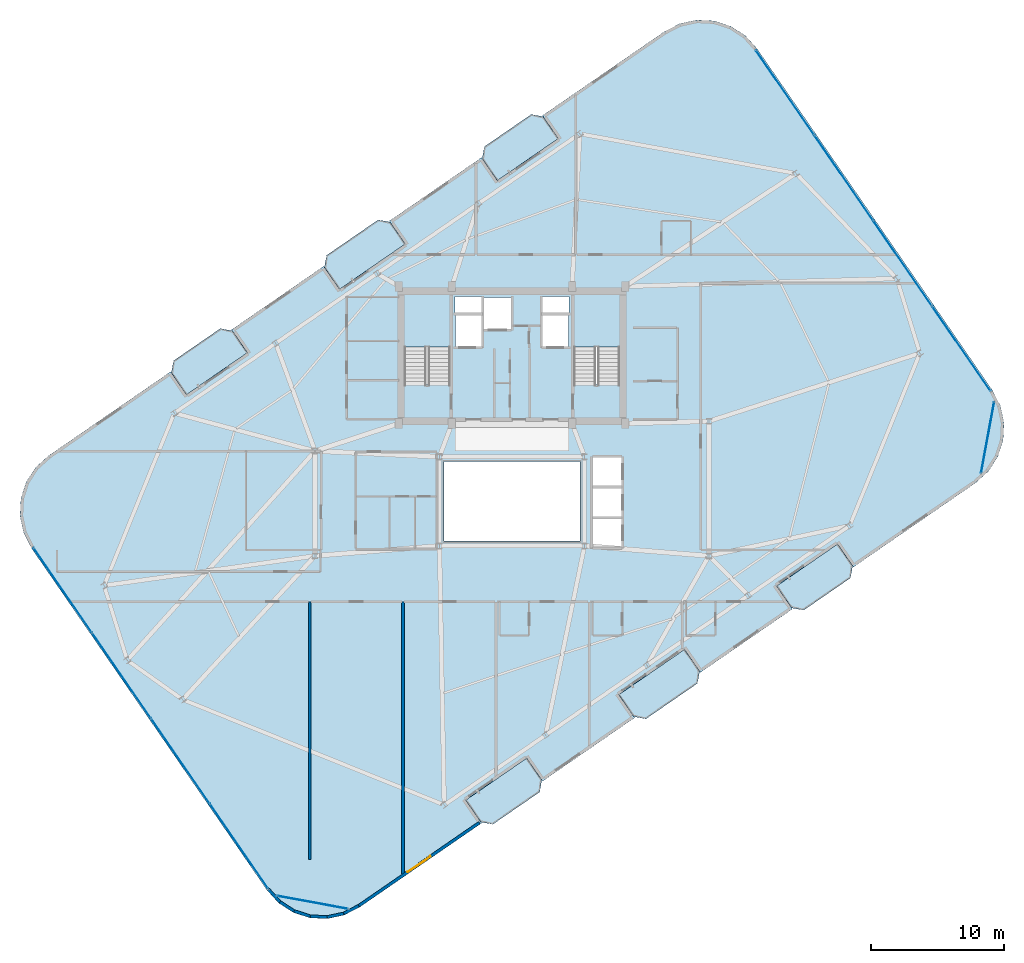
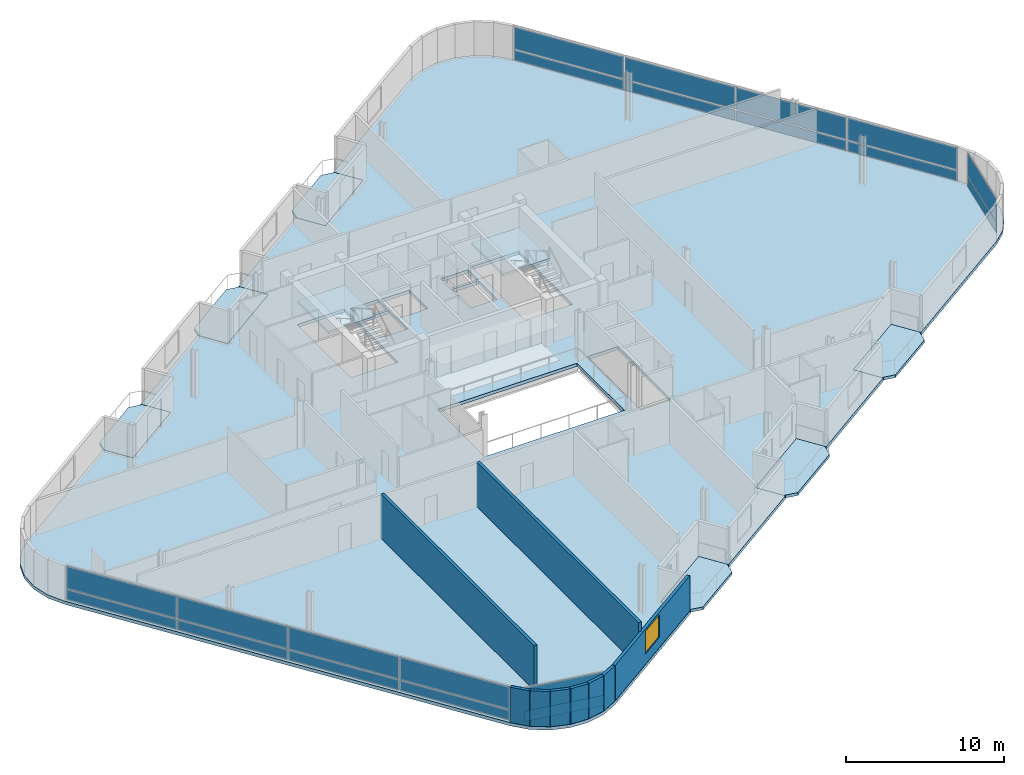
# One storey, part 15 of 23: 20 plates, 9 slabs, 9 walls, 1 window, 1 opening, 6 elements without a shape of their own.
"""IFC4 building model written with IfcOpenShell, lengths in metres."""

from ifc_helpers import new_model, si_unit, direction, frame, frame_2d, origin, origin_2d, place, context, subcontext, project, spatial, polyline, rectangle, outline, extrude, source, transform, mapped, material, layer, layer_set, type_object, element, fill, aggregate, save


model = new_model("IFC4")

# Units and contexts
model_context = context("Model", 3, precision=1e-05, world=origin(), true_north=direction((0.0, 1.0)))
body_context = subcontext(model_context, "Body", "Model", "MODEL_VIEW")
ifc_project = project(units=[si_unit("LENGTHUNIT", "METRE"), si_unit("AREAUNIT", "SQUARE_METRE"), si_unit("VOLUMEUNIT", "CUBIC_METRE"), si_unit("PLANEANGLEUNIT", "RADIAN"), si_unit("MASSUNIT", "GRAM", prefix="KILO")], contexts=[model_context])

# Site, building, storey
site_placement = place(None, origin())
site = spatial("IfcSite", under=ifc_project, at=site_placement, CompositionType="ELEMENT")
building_placement = place(site_placement, origin())
building = spatial("IfcBuilding", under=site, at=building_placement, Name="Varnelok Gate Tower", CompositionType="ELEMENT")
storey_placement = place(building_placement, frame((0.0, 0.0, 258.199951171875)))
storey = spatial("IfcBuildingStorey", under=building, at=storey_placement, Name="L66", CompositionType="ELEMENT", Elevation=258.199951171875)

# Slabs
ifc_material_1 = material(Name="Concrete C45/55", Category="concrete")
ifc_layer_1 = layer(ifc_material_1, 0.219970703125)
ifc_layer_set_1 = layer_set([ifc_layer_1], Name="Concrete C45/55")
slab_type_1 = type_object("IfcSlabType", Name="SLB-BALC-220", PredefinedType="FLOOR", material=ifc_layer_set_1)
slab_1_placement = place(storey_placement, frame((0.0, 0.0, -0.219970703125)))
element("IfcSlab", 1, at=slab_1_placement, inside=storey, type_object=slab_type_1, Name="L66 South Hollow Balcony 1", PredefinedType="FLOOR", context=body_context, shape_type="SweptSolid", body=[
    extrude(outline(polyline([(36.856201171875, -1.207275390625), (37.76025390625, -1.373779296875), (41.274169921875, 1.046630859375), (41.440673828125, 1.95068359375), (40.30615234375, 3.597900390625), (35.7216796875, 0.439697265625), (36.856201171875, -1.207275390625)])), origin(), (0.0, 0.0, 1.0), 0.219970703125),
])
slab_2_placement = place(storey_placement, frame((0.0, 0.0, -0.219970703125)))
element("IfcSlab", 2, at=slab_2_placement, inside=storey, type_object=slab_type_1, Name="L66 South Hollow Balcony 2", PredefinedType="FLOOR", context=body_context, shape_type="SweptSolid", body=[
    extrude(outline(polyline([(48.3583984375, 6.7158203125), (49.262451171875, 6.54931640625), (53.133056640625, 9.21533203125), (53.299560546875, 10.119384765625), (52.1650390625, 11.7666015625), (47.223876953125, 8.36279296875), (48.3583984375, 6.7158203125)])), origin(), (0.0, 0.0, 1.0), 0.219970703125),
])
slab_3_placement = place(storey_placement, frame((0.0, 0.0, -0.219970703125)))
element("IfcSlab", 3, at=slab_3_placement, inside=storey, type_object=slab_type_1, Name="L66 South Hollow Balcony 3", PredefinedType="FLOOR", context=body_context, shape_type="SweptSolid", body=[
    extrude(outline(polyline([(60.21728515625, 14.884521484375), (61.121337890625, 14.718017578125), (64.63525390625, 17.138427734375), (64.802001953125, 18.04248046875), (63.66748046875, 19.689453125), (59.082763671875, 16.531494140625), (60.21728515625, 14.884521484375)])), origin(), (0.0, 0.0, 1.0), 0.219970703125),
])
slab_4_placement = place(storey_placement, frame((0.0, 0.0, -0.219970703125)))
element("IfcSlab", 4, at=slab_4_placement, inside=storey, type_object=slab_type_1, Name="L66 North Hollow Balcony 1", PredefinedType="FLOOR", context=body_context, shape_type="SweptSolid", body=[
    extrude(outline(polyline([(14.732666015625, 30.910400390625), (19.3173828125, 34.068603515625), (18.1826171875, 35.715576171875), (17.27880859375, 35.882080078125), (13.7646484375, 33.461669921875), (13.59814453125, 32.5576171875), (14.732666015625, 30.910400390625)])), origin(), (0.0, 0.0, 1.0), 0.219970703125),
])
slab_5_placement = place(storey_placement, frame((0.0, 0.0, -0.219970703125)))
element("IfcSlab", 5, at=slab_5_placement, inside=storey, type_object=slab_type_1, Name="L66 North Hollow Balcony 2", PredefinedType="FLOOR", context=body_context, shape_type="SweptSolid", body=[
    extrude(outline(polyline([(26.23486328125, 38.83349609375), (31.176025390625, 42.2373046875), (30.04150390625, 43.88427734375), (29.1376953125, 44.05078125), (25.26708984375, 41.384521484375), (25.100341796875, 40.480712890625), (26.23486328125, 38.83349609375)])), origin(), (0.0, 0.0, 1.0), 0.219970703125),
])
slab_6_placement = place(storey_placement, frame((0.0, 0.0, -0.219970703125)))
element("IfcSlab", 6, at=slab_6_placement, inside=storey, type_object=slab_type_1, Name="L66 North Hollow Balcony 3", PredefinedType="FLOOR", context=body_context, shape_type="SweptSolid", body=[
    extrude(outline(polyline([(38.09375, 47.002197265625), (42.678466796875, 50.16015625), (41.5439453125, 51.807373046875), (40.639892578125, 51.973876953125), (37.125732421875, 49.55322265625), (36.959228515625, 48.6494140625), (38.09375, 47.002197265625)])), origin(), (0.0, 0.0, 1.0), 0.219970703125),
])

# Stair, slab
ifc_material_2 = material(Name="Concrete C50/60", Category="concrete")
stair_type = type_object("IfcStairType", Name="STR-CORE-1650", PredefinedType="HALF_TURN_STAIR", material=ifc_material_2)
stair_1_placement = place(storey_placement, origin())
stair_1 = element("IfcStair", 7, at=stair_1_placement, inside=storey, type_object=stair_type, Name="L66 Exit Stair ST-1", PredefinedType="HALF_TURN_STAIR")
ifc_layer_2 = layer(ifc_material_1, 0.199951171875)
ifc_layer_set_2 = layer_set([ifc_layer_2], Name="Concrete C45/55")
slab_type_2 = type_object("IfcSlabType", Name="SLB-LAND-200", PredefinedType="LANDING", material=ifc_layer_set_2)
slab_7_placement = place(storey_placement, frame((0.0, 0.0, 1.650146484375)))
slab_7 = element("IfcSlab", 8, at=slab_7_placement, type_object=slab_type_2, Name="ST-1 landing 1", PredefinedType="LANDING", context=body_context, shape_type="SweptSolid", body=[
    extrude(outline(polyline([(34.550048828125, 34.5), (34.550048828125, 38.449951171875), (31.10009765625, 38.449951171875), (31.10009765625, 34.5), (34.550048828125, 34.5)])), origin(), (0.0, 0.0, 1.0), 0.199951171875),
])
aggregate(stair_1, [slab_7])

stair_2_placement = place(storey_placement, origin())
stair_2 = element("IfcStair", 9, at=stair_2_placement, inside=storey, type_object=stair_type, Name="L66 Exit Stair ST-2", PredefinedType="HALF_TURN_STAIR")
slab_8_placement = place(storey_placement, frame((0.0, 0.0, 1.650146484375)))
slab_8 = element("IfcSlab", 10, at=slab_8_placement, type_object=slab_type_2, Name="ST-2 landing 1", PredefinedType="LANDING", context=body_context, shape_type="SweptSolid", body=[
    extrude(outline(polyline([(47.300048828125, 34.5), (47.300048828125, 38.449951171875), (43.85009765625, 38.449951171875), (43.85009765625, 34.5), (47.300048828125, 34.5)])), origin(), (0.0, 0.0, 1.0), 0.199951171875),
])
aggregate(stair_2, [slab_8])

# Slab
ifc_layer_3 = layer(ifc_material_2, 0.25)
ifc_layer_set_3 = layer_set([ifc_layer_3], Name="Concrete C50/60")
slab_type_3 = type_object("IfcSlabType", Name="SLB-TYP-250", PredefinedType="FLOOR", material=ifc_layer_set_3)
slab_9_placement = place(storey_placement, frame((0.0, 0.0, -0.25)))
element("IfcSlab", 11, at=slab_9_placement, inside=storey, type_object=slab_type_3, Name="L66 Structural Floor Slab", PredefinedType="FLOOR", context=body_context, shape_type="SweptSolid", body=[
    extrude(outline(polyline([(20.79052734375, -6.32373046875), (21.664794921875, -7.292724609375), (22.76025390625, -8.00244140625), (24.002197265625, -8.404541015625), (25.3056640625, -8.471435546875), (26.58203125, -8.19873046875), (27.744384765625, -7.60498046875), (36.25439453125, -1.7431640625), (36.912841796875, -1.28955078125), (35.7216796875, 0.439697265625), (40.30615234375, 3.597900390625), (41.49755859375, 1.868408203125), (48.4150390625, 6.63330078125), (47.223876953125, 8.36279296875), (52.1650390625, 11.7666015625), (53.356201171875, 10.037109375), (60.27392578125, 14.802001953125), (59.082763671875, 16.531494140625), (63.66748046875, 19.689453125), (64.858642578125, 17.960205078125), (65.51708984375, 18.413818359375), (74.027099609375, 24.275390625), (74.99609375, 25.14990234375), (75.705810546875, 26.245361328125), (76.10791015625, 27.487060546875), (76.1748046875, 28.79052734375), (75.902099609375, 30.067138671875), (75.308349609375, 31.2294921875), (57.609619140625, 56.923583984375), (56.735107421875, 57.892822265625), (55.6396484375, 58.6025390625), (54.39794921875, 59.00439453125), (53.094482421875, 59.071533203125), (51.81787109375, 58.798828125), (50.655517578125, 58.205078125), (42.145751953125, 52.34326171875), (41.487060546875, 51.8896484375), (42.678466796875, 50.16015625), (38.09375, 47.002197265625), (36.902587890625, 48.731689453125), (29.98486328125, 43.966552734375), (31.176025390625, 42.2373046875), (26.23486328125, 38.83349609375), (25.043701171875, 40.56298828125), (18.1259765625, 35.7978515625), (19.3173828125, 34.068603515625), (14.732666015625, 30.910400390625), (13.54150390625, 32.639892578125), (12.8828125, 32.186279296875), (4.373046875, 26.324462890625), (3.40380859375, 25.4501953125), (2.694091796875, 24.354736328125), (2.292236328125, 23.11279296875), (2.22509765625, 21.809326171875), (2.497802734375, 20.532958984375), (3.091796875, 19.37060546875), (20.79052734375, -6.32373046875)]), holes=[polyline([(34.550048828125, 31.679931640625), (34.550048828125, 38.449951171875), (31.10009765625, 38.449951171875), (31.10009765625, 31.679931640625), (34.550048828125, 31.679931640625)]), polyline([(47.300048828125, 31.679931640625), (47.300048828125, 38.449951171875), (43.85009765625, 38.449951171875), (43.85009765625, 31.679931640625), (47.300048828125, 31.679931640625)]), polyline([(34.949951171875, 34.550048828125), (36.89990234375, 34.550048828125), (36.89990234375, 36.89990234375), (34.949951171875, 36.89990234375), (34.949951171875, 34.550048828125)]), polyline([(41.5, 34.550048828125), (43.449951171875, 34.550048828125), (43.449951171875, 36.89990234375), (41.5, 36.89990234375), (41.5, 34.550048828125)]), polyline([(37.050048828125, 35.85009765625), (39.14990234375, 35.85009765625), (39.14990234375, 38.199951171875), (37.050048828125, 38.199951171875), (37.050048828125, 35.85009765625)]), polyline([(45.25, 19.449951171875), (47.449951171875, 19.449951171875), (47.449951171875, 26.199951171875), (45.25, 26.199951171875), (45.25, 19.449951171875)]), polyline([(34.919921875, 37.080078125), (36.89990234375, 37.080078125), (36.89990234375, 38.280029296875), (34.919921875, 38.280029296875), (34.919921875, 37.080078125)]), polyline([(41.5, 37.080078125), (43.47998046875, 37.080078125), (43.47998046875, 38.280029296875), (41.5, 38.280029296875), (41.5, 37.080078125)]), polyline([(34.10009765625, 19.89990234375), (44.300048828125, 19.89990234375), (44.300048828125, 25.89990234375), (34.10009765625, 25.89990234375), (34.10009765625, 19.89990234375)])]), origin(), (0.0, 0.0, 1.0), 0.25),
])

# Curtain wall, plates
ifc_material_3 = material(Name="Anodized Aluminum Alloy 6063-T6", Category="aluminium")
ifc_layer_4 = layer(ifc_material_3, 0.179931640625)
ifc_layer_set_4 = layer_set([ifc_layer_4], Name="Anodized Aluminum Alloy 6063-T6")
curtain_wall_type_1 = type_object("IfcCurtainWallType", Name="CW4-RESIDENCE-VISION", PredefinedType="USERDEFINED", material=ifc_layer_set_4)
curtain_wall_1_placement = place(storey_placement, origin())
curtain_wall_1 = element("IfcCurtainWall", 12, at=curtain_wall_1_placement, inside=storey, type_object=curtain_wall_type_1, Name="L66 West End Vision Curtain Wall", ObjectType="UNITISED CURTAIN WALL", PredefinedType="USERDEFINED")
ifc_material_4 = material(Name="Low-E Laminated Double Glazing IGU", Category="glass")
ifc_layer_5 = layer(ifc_material_4, 0.035888671875)
ifc_layer_set_5 = layer_set([ifc_layer_5], Name="Low-E Laminated Double Glazing IGU")
plate_type_1 = type_object("IfcPlateType", Name="CW-PNL-IGU36", PredefinedType="CURTAIN_PANEL", material=ifc_layer_set_5)
shared_shape_1 = source(origin(), body_context, "Body", "SweptSolid", [
    extrude(rectangle(XDim=7.6875, YDim=0.035888671875, at=origin_2d()), origin(), (0.0, 0.0, 1.0), 0.78759765625),
])
plate_1_placement = place(storey_placement, frame((18.682861328125, -3.01708984375, 0.074951171875), z_axis=(0.0, 0.0, 1.0), x_axis=(-0.567269395376, 0.823532290241, 0.0)))
plate_1 = element("IfcPlate", 13, at=plate_1_placement, type_object=plate_type_1, Name="CW4 panel 1.1", PredefinedType="CURTAIN_PANEL", context=body_context, shape_type="MappedRepresentation", body=[
    mapped(shared_shape_1, transform((0.0, 0.0, 0.0), scale=1.0)),
])
plate_2_placement = place(storey_placement, frame((5.429931640625, 16.22265625, 0.074951171875), z_axis=(0.0, 0.0, 1.0), x_axis=(-0.567269395376, 0.823532290241, 0.0)))
plate_2 = element("IfcPlate", 14, at=plate_2_placement, type_object=plate_type_1, Name="CW4 panel 4.1", PredefinedType="CURTAIN_PANEL", context=body_context, shape_type="MappedRepresentation", body=[
    mapped(shared_shape_1, transform((0.0, 0.0, 0.0), scale=1.0)),
])

curtain_wall_2_placement = place(storey_placement, origin())
curtain_wall_2 = element("IfcCurtainWall", 15, at=curtain_wall_2_placement, inside=storey, type_object=curtain_wall_type_1, Name="L66 East End Vision Curtain Wall", ObjectType="UNITISED CURTAIN WALL", PredefinedType="USERDEFINED")
plate_3_placement = place(storey_placement, frame((59.71728515625, 53.6171875, 0.074951171875), z_axis=(0.0, 0.0, 1.0), x_axis=(0.567269395376, -0.823532290241, 0.0)))
plate_3 = element("IfcPlate", 16, at=plate_3_placement, type_object=plate_type_1, Name="CW4 panel 1.1", PredefinedType="CURTAIN_PANEL", context=body_context, shape_type="MappedRepresentation", body=[
    mapped(shared_shape_1, transform((0.0, 0.0, 0.0), scale=1.0)),
])
plate_4_placement = place(storey_placement, frame((72.969970703125, 34.377197265625, 0.074951171875), z_axis=(0.0, 0.0, 1.0), x_axis=(0.567269395376, -0.823532290241, 0.0)))
plate_4 = element("IfcPlate", 17, at=plate_4_placement, type_object=plate_type_1, Name="CW4 panel 4.1", PredefinedType="CURTAIN_PANEL", context=body_context, shape_type="MappedRepresentation", body=[
    mapped(shared_shape_1, transform((0.0, 0.0, 0.0), scale=1.0)),
])

# Plate
shared_shape_2 = source(origin(), body_context, "Body", "SweptSolid", [
    extrude(rectangle(XDim=7.6875, YDim=0.035888671875, at=origin_2d()), origin(), (0.0, 0.0, 1.0), 1.717529296875),
])
plate_5_placement = place(storey_placement, frame((18.682861328125, -3.01708984375, 0.9375), z_axis=(0.0, 0.0, 1.0), x_axis=(-0.567269395376, 0.823532290241, 0.0)))
plate_5 = element("IfcPlate", 18, at=plate_5_placement, type_object=plate_type_1, Name="CW4 panel 1.2", PredefinedType="CURTAIN_PANEL", context=body_context, shape_type="MappedRepresentation", body=[
    mapped(shared_shape_2, transform((0.0, 0.0, 0.0), scale=1.0)),
])

plate_6_placement = place(storey_placement, frame((5.429931640625, 16.22265625, 0.9375), z_axis=(0.0, 0.0, 1.0), x_axis=(-0.567269395376, 0.823532290241, 0.0)))
plate_6 = element("IfcPlate", 19, at=plate_6_placement, type_object=plate_type_1, Name="CW4 panel 4.2", PredefinedType="CURTAIN_PANEL", context=body_context, shape_type="MappedRepresentation", body=[
    mapped(shared_shape_2, transform((0.0, 0.0, 0.0), scale=1.0)),
])

plate_7_placement = place(storey_placement, frame((59.71728515625, 53.6171875, 0.9375), z_axis=(0.0, 0.0, 1.0), x_axis=(0.567269395376, -0.823532290241, 0.0)))
plate_7 = element("IfcPlate", 20, at=plate_7_placement, type_object=plate_type_1, Name="CW4 panel 1.2", PredefinedType="CURTAIN_PANEL", context=body_context, shape_type="MappedRepresentation", body=[
    mapped(shared_shape_2, transform((0.0, 0.0, 0.0), scale=1.0)),
])

plate_8_placement = place(storey_placement, frame((72.969970703125, 34.377197265625, 0.9375), z_axis=(0.0, 0.0, 1.0), x_axis=(0.567269395376, -0.823532290241, 0.0)))
plate_8 = element("IfcPlate", 21, at=plate_8_placement, type_object=plate_type_1, Name="CW4 panel 4.2", PredefinedType="CURTAIN_PANEL", context=body_context, shape_type="MappedRepresentation", body=[
    mapped(shared_shape_2, transform((0.0, 0.0, 0.0), scale=1.0)),
])

shared_shape_3 = source(origin(), body_context, "Body", "SweptSolid", [
    extrude(rectangle(XDim=7.72509765625, YDim=0.035888671875, at=origin_2d()), origin(), (0.0, 0.0, 1.0), 0.78759765625),
])
plate_9_placement = place(storey_placement, frame((14.268798828125, 3.39111328125, 0.074951171875), z_axis=(0.0, 0.0, 1.0), x_axis=(-0.567269395376, 0.823532290241, 0.0)))
plate_9 = element("IfcPlate", 22, at=plate_9_placement, type_object=plate_type_1, Name="CW4 panel 2.1", PredefinedType="CURTAIN_PANEL", context=body_context, shape_type="MappedRepresentation", body=[
    mapped(shared_shape_3, transform((0.0, 0.0, 0.0), scale=1.0)),
])

plate_10_placement = place(storey_placement, frame((9.843994140625, 9.814453125, 0.074951171875), z_axis=(0.0, 0.0, 1.0), x_axis=(-0.567269395376, 0.823532290241, 0.0)))
plate_10 = element("IfcPlate", 23, at=plate_10_placement, type_object=plate_type_1, Name="CW4 panel 3.1", PredefinedType="CURTAIN_PANEL", context=body_context, shape_type="MappedRepresentation", body=[
    mapped(shared_shape_3, transform((0.0, 0.0, 0.0), scale=1.0)),
])

plate_11_placement = place(storey_placement, frame((64.13134765625, 47.208984375, 0.074951171875), z_axis=(0.0, 0.0, 1.0), x_axis=(0.567269395376, -0.823532290241, 0.0)))
plate_11 = element("IfcPlate", 24, at=plate_11_placement, type_object=plate_type_1, Name="CW4 panel 2.1", PredefinedType="CURTAIN_PANEL", context=body_context, shape_type="MappedRepresentation", body=[
    mapped(shared_shape_3, transform((0.0, 0.0, 0.0), scale=1.0)),
])

plate_12_placement = place(storey_placement, frame((68.555908203125, 40.785400390625, 0.074951171875), z_axis=(0.0, 0.0, 1.0), x_axis=(0.567269395376, -0.823532290241, 0.0)))
plate_12 = element("IfcPlate", 25, at=plate_12_placement, type_object=plate_type_1, Name="CW4 panel 3.1", PredefinedType="CURTAIN_PANEL", context=body_context, shape_type="MappedRepresentation", body=[
    mapped(shared_shape_3, transform((0.0, 0.0, 0.0), scale=1.0)),
])

shared_shape_4 = source(origin(), body_context, "Body", "SweptSolid", [
    extrude(rectangle(XDim=7.72509765625, YDim=0.035888671875, at=origin_2d()), origin(), (0.0, 0.0, 1.0), 1.717529296875),
])
plate_13_placement = place(storey_placement, frame((14.268798828125, 3.39111328125, 0.9375), z_axis=(0.0, 0.0, 1.0), x_axis=(-0.567269395376, 0.823532290241, 0.0)))
plate_13 = element("IfcPlate", 26, at=plate_13_placement, type_object=plate_type_1, Name="CW4 panel 2.2", PredefinedType="CURTAIN_PANEL", context=body_context, shape_type="MappedRepresentation", body=[
    mapped(shared_shape_4, transform((0.0, 0.0, 0.0), scale=1.0)),
])

plate_14_placement = place(storey_placement, frame((9.843994140625, 9.814453125, 0.9375), z_axis=(0.0, 0.0, 1.0), x_axis=(-0.567269395376, 0.823532290241, 0.0)))
plate_14 = element("IfcPlate", 27, at=plate_14_placement, type_object=plate_type_1, Name="CW4 panel 3.2", PredefinedType="CURTAIN_PANEL", context=body_context, shape_type="MappedRepresentation", body=[
    mapped(shared_shape_4, transform((0.0, 0.0, 0.0), scale=1.0)),
])

aggregate(curtain_wall_1, [plate_1, plate_5, plate_9, plate_13, plate_10, plate_14, plate_2, plate_6])

plate_15_placement = place(storey_placement, frame((64.13134765625, 47.208984375, 0.9375), z_axis=(0.0, 0.0, 1.0), x_axis=(0.567269395376, -0.823532290241, 0.0)))
plate_15 = element("IfcPlate", 28, at=plate_15_placement, type_object=plate_type_1, Name="CW4 panel 2.2", PredefinedType="CURTAIN_PANEL", context=body_context, shape_type="MappedRepresentation", body=[
    mapped(shared_shape_4, transform((0.0, 0.0, 0.0), scale=1.0)),
])

plate_16_placement = place(storey_placement, frame((68.555908203125, 40.785400390625, 0.9375), z_axis=(0.0, 0.0, 1.0), x_axis=(0.567269395376, -0.823532290241, 0.0)))
plate_16 = element("IfcPlate", 29, at=plate_16_placement, type_object=plate_type_1, Name="CW4 panel 3.2", PredefinedType="CURTAIN_PANEL", context=body_context, shape_type="MappedRepresentation", body=[
    mapped(shared_shape_4, transform((0.0, 0.0, 0.0), scale=1.0)),
])

aggregate(curtain_wall_2, [plate_3, plate_7, plate_11, plate_15, plate_12, plate_16, plate_4, plate_8])

# Curtain wall, plate
ifc_layer_6 = layer(ifc_material_3, 0.179931640625)
ifc_layer_set_6 = layer_set([ifc_layer_6], Name="Anodized Aluminum Alloy 6063-T6")
curtain_wall_type_2 = type_object("IfcCurtainWallType", Name="CW5-WINDCORNER-GLAZ", PredefinedType="USERDEFINED", material=ifc_layer_set_6)
curtain_wall_3_placement = place(storey_placement, origin())
curtain_wall_3 = element("IfcCurtainWall", 30, at=curtain_wall_3_placement, inside=storey, type_object=curtain_wall_type_2, Name="L66 Wind-Shaped Corner Curtain Wall SW", ObjectType="STRUCTURAL GLAZING", PredefinedType="USERDEFINED")
ifc_layer_7 = layer(ifc_material_4, 0.0419921875)
ifc_layer_set_7 = layer_set([ifc_layer_7], Name="Low-E Laminated Double Glazing IGU")
plate_type_2 = type_object("IfcPlateType", Name="CW-PNL-SPN42", PredefinedType="CURTAIN_PANEL", material=ifc_layer_set_7)
shared_shape_5 = source(origin(), body_context, "Body", "SweptSolid", [
    extrude(rectangle(XDim=5.385498046875, YDim=0.0419921875, at=origin_2d()), origin(), (0.0, 0.0, 1.0), 0.802490234375),
])
plate_17_placement = place(storey_placement, frame((24.21630859375, -7.242431640625, 0.06494140625), z_axis=(0.0, 0.0, 1.0), x_axis=(0.983445962106, -0.181201654564, 0.0)))
plate_17 = element("IfcPlate", 31, at=plate_17_placement, type_object=plate_type_2, Name="CW5 panel 1.1", PredefinedType="CURTAIN_PANEL", context=body_context, shape_type="MappedRepresentation", body=[
    mapped(shared_shape_5, transform((0.0, 0.0, 0.0), scale=1.0)),
])

curtain_wall_4_placement = place(storey_placement, origin())
curtain_wall_4 = element("IfcCurtainWall", 32, at=curtain_wall_4_placement, inside=storey, type_object=curtain_wall_type_2, Name="L66 Wind-Shaped Corner Curtain Wall SE", ObjectType="STRUCTURAL GLAZING", PredefinedType="USERDEFINED")
plate_18_placement = place(storey_placement, frame((74.94580078125, 27.701171875, 0.06494140625), z_axis=(0.0, 0.0, 1.0), x_axis=(0.181201654564, 0.983445962106, 0.0)))
plate_18 = element("IfcPlate", 33, at=plate_18_placement, type_object=plate_type_2, Name="CW5 panel 1.1", PredefinedType="CURTAIN_PANEL", context=body_context, shape_type="MappedRepresentation", body=[
    mapped(shared_shape_5, transform((0.0, 0.0, 0.0), scale=1.0)),
])

# Plate
shared_shape_6 = source(origin(), body_context, "Body", "SweptSolid", [
    extrude(rectangle(XDim=5.385498046875, YDim=0.0419921875, at=origin_2d()), origin(), (0.0, 0.0, 1.0), 1.732421875),
])
plate_19_placement = place(storey_placement, frame((24.21630859375, -7.242431640625, 0.9326171875), z_axis=(0.0, 0.0, 1.0), x_axis=(0.983445962106, -0.181201654564, 0.0)))
plate_19 = element("IfcPlate", 34, at=plate_19_placement, type_object=plate_type_2, Name="CW5 panel 1.2", PredefinedType="CURTAIN_PANEL", context=body_context, shape_type="MappedRepresentation", body=[
    mapped(shared_shape_6, transform((0.0, 0.0, 0.0), scale=1.0)),
])

aggregate(curtain_wall_3, [plate_17, plate_19])

plate_20_placement = place(storey_placement, frame((74.94580078125, 27.701171875, 0.9326171875), z_axis=(0.0, 0.0, 1.0), x_axis=(0.181201654564, 0.983445962106, 0.0)))
plate_20 = element("IfcPlate", 35, at=plate_20_placement, type_object=plate_type_2, Name="CW5 panel 1.2", PredefinedType="CURTAIN_PANEL", context=body_context, shape_type="MappedRepresentation", body=[
    mapped(shared_shape_6, transform((0.0, 0.0, 0.0), scale=1.0)),
])

aggregate(curtain_wall_4, [plate_18, plate_20])

# Walls
ifc_layer_8 = layer(ifc_material_1, 0.219970703125)
ifc_layer_set_8 = layer_set([ifc_layer_8], Name="Concrete C45/55")
wall_type_1 = type_object("IfcWallType", Name="EW-BALC-220", PredefinedType="SOLIDWALL", material=ifc_layer_set_8)
wall_1_placement = place(storey_placement, frame((20.89013671875, -6.255126953125, 0.0), z_axis=(0.0, 0.0, 1.0), x_axis=(0.669949059844, -0.74240706975, 0.0)))
element("IfcWall", 36, at=wall_1_placement, inside=storey, type_object=wall_type_1, Name="L66 Perimeter Facade Closure Wall 1", PredefinedType="SOLIDWALL", context=body_context, shape_type="SweptSolid", body=[
    extrude(rectangle(XDim=1.273681640625, YDim=0.219970703125, at=frame_2d((0.63671875, 0.0))), origin(), (0.0, 0.0, 1.0), 2.72998046875),
])
for number, where, z_axis, x_axis, name in (
    (37, (21.764404296875, -7.21435546875, 0.0), (0.0, 0.0, 1.0), (0.839229000731, -0.543778157277, 0.0), "L66 Perimeter Facade Closure Wall 2"),
    (38, (22.836181640625, -7.90087890625, 0.0), (0.0, 0.0, 1.0), (0.951385542995, -0.308002513919, 0.0), "L66 Perimeter Facade Closure Wall 3"),
    (39, (24.049072265625, -8.286865234375, 0.0), (0.0, 0.0, 1.0), (0.998686637427, -0.051234756022, 0.0), "L66 Perimeter Facade Closure Wall 4"),
):
    element("IfcWall", number, at=place(storey_placement, frame(where, z_axis=z_axis, x_axis=x_axis)), inside=storey, type_object=wall_type_1, Name=name, PredefinedType="SOLIDWALL", context=body_context, shape_type="SweptSolid", body=[
        extrude(rectangle(XDim=1.24853515625, YDim=0.219970703125, at=frame_2d((0.624267578125, 0.0))), origin(), (0.0, 0.0, 1.0), 2.72998046875),
    ])
wall_2_placement = place(storey_placement, frame((25.3203125, -8.345703125, 0.0), z_axis=(0.0, 0.0, 1.0), x_axis=(0.977916710262, 0.208994994656, 0.0)))
element("IfcWall", 40, at=wall_2_placement, inside=storey, type_object=wall_type_1, Name="L66 Perimeter Facade Closure Wall 5", PredefinedType="SOLIDWALL", context=body_context, shape_type="SweptSolid", body=[
    extrude(rectangle(XDim=1.248779296875, YDim=0.219970703125, at=frame_2d((0.62451171875, 0.0))), origin(), (0.0, 0.0, 1.0), 2.72998046875),
])
wall_3_placement = place(storey_placement, frame((26.563720703125, -8.073486328125, 0.0), z_axis=(0.0, 0.0, 1.0), x_axis=(0.890508147271, 0.454967295137, 0.0)))
element("IfcWall", 41, at=wall_3_placement, inside=storey, type_object=wall_type_1, Name="L66 Perimeter Facade Closure Wall 6", PredefinedType="SOLIDWALL", context=body_context, shape_type="SweptSolid", body=[
    extrude(rectangle(XDim=1.2568359375, YDim=0.219970703125, at=frame_2d((0.62841796875, 0.0))), origin(), (0.0, 0.0, 1.0), 2.72998046875),
])

# Wall, opening, window
wall_4_placement = place(storey_placement, frame((27.70361328125, -7.487548828125, 0.0), z_axis=(0.0, 0.0, 1.0), x_axis=(0.823529068157, 0.567274073003, 0.0)))
wall_4 = element("IfcWall", 42, at=wall_4_placement, inside=storey, type_object=wall_type_1, Name="L66 Perimeter Facade Closure Wall 7", PredefinedType="SOLIDWALL", context=body_context, shape_type="SweptSolid", body=[
    extrude(rectangle(XDim=10.980224609375, YDim=0.219970703125, at=frame_2d((5.490234375, 0.0))), origin(), (0.0, 0.0, 1.0), 2.72998046875),
])
opening_placement = place(wall_4_placement, frame((4.440185546875, 0.0, 0.800048828125)))
opening = element("IfcOpeningElement", 43, at=opening_placement, cuts=wall_4, Name="Opening WN4", PredefinedType="OPENING", context=body_context, shape_type="SweptSolid", body=[
    extrude(rectangle(XDim=2.10009765625, YDim=1.75, at=frame_2d((1.050048828125, 0.875))), frame((0.0, 0.119873046875, 0.0), z_axis=(0.0, -1.0, 0.0), x_axis=(1.0, 0.0, 0.0)), (0.0, 0.0, 1.0), 0.239990234375),
])
window_type = type_object("IfcWindowType", Name="WN-SUI-2100", PartitioningType="SINGLE_PANEL", PredefinedType="WINDOW", material=ifc_material_4)
window_placement = place(opening_placement, origin())
window = element("IfcWindow", 44, at=window_placement, inside=storey, type_object=window_type, Name="L66 Perimeter Vision Window 7", OverallHeight=1.75, OverallWidth=2.10009765625, PartitioningType="SINGLE_PANEL", PredefinedType="WINDOW", context=body_context, shape_type="SweptSolid", body=[
    extrude(rectangle(XDim=2.10009765625, YDim=1.75, at=frame_2d((1.050048828125, 0.875))), frame((0.0, 0.030029296875, 0.0), z_axis=(0.0, -1.0, 0.0), x_axis=(1.0, 0.0, 0.0)), (0.0, 0.0, 1.0), 0.06005859375),
])
fill(opening, window)

# Walls
ifc_material_5 = material(Name="Gypsum Plasterboard Acoustic Partition", Category="gypsum")
ifc_layer_9 = layer(ifc_material_5, 0.205078125)
ifc_layer_set_9 = layer_set([ifc_layer_9], Name="Gypsum Plasterboard Acoustic Partition")
wall_type_2 = type_object("IfcWallType", Name="PW-PARTY-200", PredefinedType="PARTITIONING", material=ifc_layer_set_9)
wall_5_placement = place(storey_placement, frame((24.0, -4.0, 0.0), z_axis=(0.0, 0.0, 1.0), x_axis=(0.0, 1.0, 0.0)))
element("IfcWall", 45, at=wall_5_placement, inside=storey, type_object=wall_type_2, Name="L66 South Party Wall 1", PredefinedType="PARTITIONING", context=body_context, shape_type="SweptSolid", body=[
    extrude(rectangle(XDim=19.35009765625, YDim=0.205078125, at=frame_2d((9.675048828125, 0.0))), origin(), (0.0, 0.0, 1.0), 3.449951171875),
])
wall_6_placement = place(storey_placement, frame((31.0, -5.11181640625, 0.0), z_axis=(0.0, 0.0, 1.0), x_axis=(0.0, 1.0, 0.0)))
element("IfcWall", 46, at=wall_6_placement, inside=storey, type_object=wall_type_2, Name="L66 South Party Wall 2", PredefinedType="PARTITIONING", context=body_context, shape_type="SweptSolid", body=[
    extrude(rectangle(XDim=20.4619140625, YDim=0.205078125, at=frame_2d((10.23095703125, 0.0))), origin(), (0.0, 0.0, 1.0), 3.449951171875),
])

save(model, "model.ifc")
